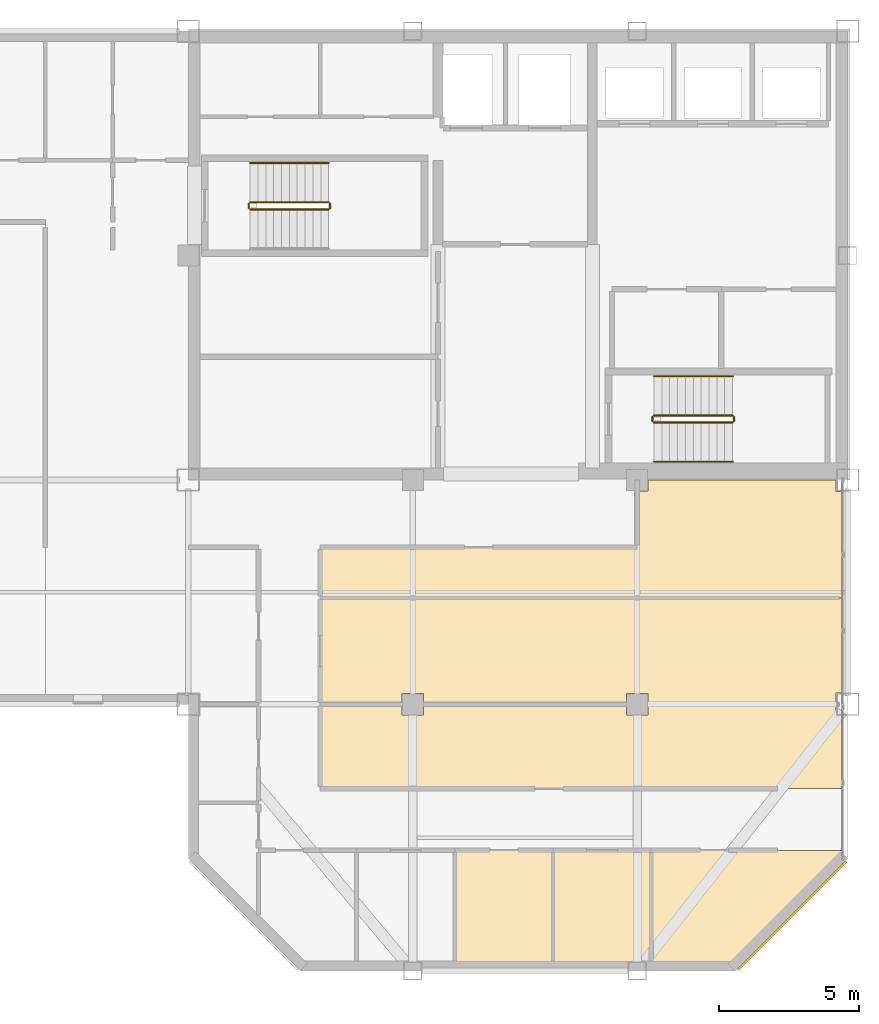
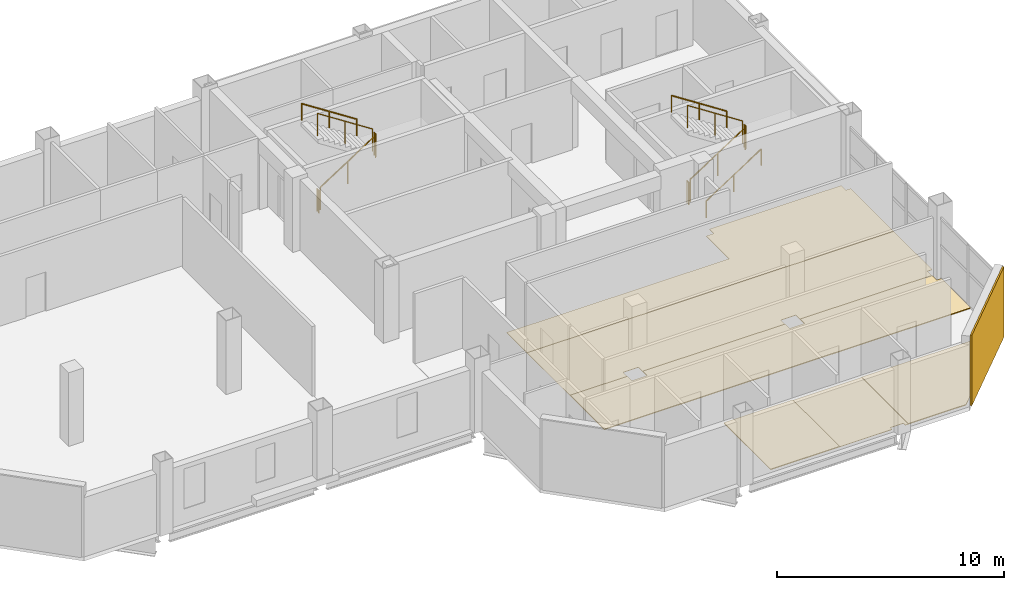
# One storey, part 12 of 13: 11 railings, 7 coverings.
"""IFC4 building model written with IfcOpenShell, lengths in metres."""

from ifc_helpers import new_model, si_unit, direction, frame, origin, origin_2d, place, context, subcontext, project, spatial, polyline, rectangle, circle, outline, extrude, material, layer, layer_set, type_object, element, save


model = new_model("IFC4")

# Units and contexts
model_context = context("Model", 3, precision=1e-05, world=origin(), true_north=direction((0.0, 1.0)))
body_context = subcontext(model_context, "Body", "Model", "MODEL_VIEW")
ifc_project = project(units=[si_unit("LENGTHUNIT", "METRE"), si_unit("AREAUNIT", "SQUARE_METRE"), si_unit("VOLUMEUNIT", "CUBIC_METRE"), si_unit("PLANEANGLEUNIT", "RADIAN"), si_unit("MASSUNIT", "GRAM", prefix="KILO")], contexts=[model_context])

# Site, building, storey
site_placement = place(None, origin())
site = spatial("IfcSite", under=ifc_project, at=site_placement, CompositionType="ELEMENT")
building_placement = place(site_placement, origin())
building = spatial("IfcBuilding", under=site, at=building_placement, Name="Qianrong Seaharbour Tower", CompositionType="ELEMENT")
storey_placement = place(building_placement, frame((0.0, 0.0, 299.199951171875)))
storey = spatial("IfcBuildingStorey", under=building, at=storey_placement, Name="L72", CompositionType="ELEMENT", Elevation=299.199951171875)

# Coverings
ifc_material_1 = material(Name="Unitised red brick cladding on Precast concrete C45/55", Category="masonry")
ifc_layer_1 = layer(ifc_material_1, 0.080078125)
ifc_layer_set_1 = layer_set([ifc_layer_1], Name="Unitised red brick cladding on Precast concrete C45/55")
covering_type_1 = type_object("IfcCoveringType", Name="COV-CLAD-RED-BRICK-80", PredefinedType="CLADDING", material=ifc_layer_set_1)
covering_1_placement = place(storey_placement, frame((62.0283203125, 20.4716796875, 0.0), z_axis=(0.0, 0.0, 1.0), x_axis=(-0.707106781187, -0.707106781187, 0.0)))
element("IfcCovering", 1, at=covering_1_placement, inside=storey, type_object=covering_type_1, Name="L72 Chamfer Corner Brick Cladding 07", PredefinedType="CLADDING", context=body_context, shape_type="SweptSolid", body=[
    extrude(rectangle(XDim=5.456787109375, YDim=0.080078125, at=origin_2d()), origin(), (0.0, 0.0, 1.0), 3.784912109375),
])
ifc_material_2 = material(Name="Acoustic modular carpet tile flooring")
ifc_layer_2 = layer(ifc_material_2, 0.02001953125)
ifc_layer_set_2 = layer_set([ifc_layer_2], Name="Acoustic modular carpet tile flooring")
covering_type_2 = type_object("IfcCoveringType", Name="COV-FLOOR-CARPET-20", PredefinedType="FLOORING", material=ifc_layer_set_2)
covering_2_placement = place(storey_placement, origin())
element("IfcCovering", 2, at=covering_2_placement, inside=storey, type_object=covering_type_2, Name="L72 Boardroom 2 Finish Flooring", PredefinedType="FLOORING", context=body_context, shape_type="SweptSolid", body=[
    extrude(outline(polyline([(63.824951171875, 31.800048828125), (63.824951171875, 28.409912109375), (63.590087890625, 28.409912109375), (63.590087890625, 28.0), (56.885009765625, 28.0), (56.885009765625, 28.385009765625), (56.114990234375, 28.385009765625), (56.114990234375, 28.0), (48.885009765625, 28.0), (48.885009765625, 28.385009765625), (48.114990234375, 28.385009765625), (48.114990234375, 28.0), (45.199951171875, 28.0), (45.199951171875, 31.800048828125), (63.824951171875, 31.800048828125)])), origin(), (0.0, 0.0, 1.0), 0.02001953125),
])
covering_3_placement = place(storey_placement, origin())
element("IfcCovering", 3, at=covering_3_placement, inside=storey, type_object=covering_type_2, Name="L72 Focus Room 3 Finish Flooring", PredefinedType="FLOORING", context=body_context, shape_type="SweptSolid", body=[
    extrude(outline(polyline([(56.5, 33.60009765625), (56.5, 35.614990234375), (56.885009765625, 35.614990234375), (56.885009765625, 36.0), (63.590087890625, 36.0), (63.590087890625, 35.590087890625), (63.824951171875, 35.590087890625), (63.824951171875, 31.800048828125), (45.199951171875, 31.800048828125), (45.199951171875, 33.60009765625), (56.5, 33.60009765625)])), origin(), (0.0, 0.0, 1.0), 0.02001953125),
])
covering_4_placement = place(storey_placement, origin())
element("IfcCovering", 4, at=covering_4_placement, inside=storey, type_object=covering_type_2, Name="L72 Meeting Room 4 Finish Flooring", PredefinedType="FLOORING", context=body_context, shape_type="SweptSolid", body=[
    extrude(outline(polyline([(57.0, 18.675048828125), (56.8349609375, 18.675048828125), (56.8349609375, 18.8349609375), (56.1650390625, 18.8349609375), (56.1650390625, 18.675048828125), (53.5, 18.675048828125), (53.5, 22.800048828125), (57.0, 22.800048828125), (57.0, 18.675048828125)])), origin(), (0.0, 0.0, 1.0), 0.02001953125),
])
ifc_material_3 = material(Name="Calcium-sulphate raised access floor tile")
ifc_layer_3 = layer(ifc_material_3, 0.044921875)
ifc_layer_set_3 = layer_set([ifc_layer_3], Name="Calcium-sulphate raised access floor tile")
covering_type_3 = type_object("IfcCoveringType", Name="COV-FLOOR-RAISED-45", PredefinedType="FLOORING", material=ifc_layer_set_3)
covering_5_placement = place(storey_placement, origin())
element("IfcCovering", 5, at=covering_5_placement, inside=storey, type_object=covering_type_3, Name="L72 Executive Office 1 Finish Flooring", PredefinedType="FLOORING", context=body_context, shape_type="SweptSolid", body=[
    extrude(outline(polyline([(48.114990234375, 28.0), (48.114990234375, 27.614990234375), (48.885009765625, 27.614990234375), (48.885009765625, 28.0), (56.114990234375, 28.0), (56.114990234375, 27.614990234375), (56.885009765625, 27.614990234375), (56.885009765625, 28.0), (63.590087890625, 28.0), (63.590087890625, 27.590087890625), (63.824951171875, 27.590087890625), (63.824951171875, 25.0), (45.199951171875, 25.0), (45.199951171875, 28.0), (48.114990234375, 28.0)])), origin(), (0.0, 0.0, 1.0), 0.045166015625),
])
covering_6_placement = place(storey_placement, origin())
element("IfcCovering", 6, at=covering_6_placement, inside=storey, type_object=covering_type_3, Name="L72 Executive Office 3 Finish Flooring", PredefinedType="FLOORING", context=body_context, shape_type="SweptSolid", body=[
    extrude(outline(polyline([(53.5, 18.675048828125), (50.0, 18.675048828125), (50.0, 22.800048828125), (53.5, 22.800048828125), (53.5, 18.675048828125)])), origin(), (0.0, 0.0, 1.0), 0.045166015625),
])
covering_7_placement = place(storey_placement, origin())
element("IfcCovering", 7, at=covering_7_placement, inside=storey, type_object=covering_type_3, Name="L72 Executive Office 5 Finish Flooring", PredefinedType="FLOORING", context=body_context, shape_type="SweptSolid", body=[
    extrude(outline(polyline([(63.824951171875, 22.572509765625), (59.927490234375, 18.675048828125), (57.0, 18.675048828125), (57.0, 22.800048828125), (63.824951171875, 22.800048828125), (63.824951171875, 22.572509765625)])), origin(), (0.0, 0.0, 1.0), 0.045166015625),
])

# Railings
ifc_material_4 = material(Name="Galvanized painted steel SN400B stair guard", Category="steel")
railing_type_1 = type_object("IfcRailingType", Name="RAIL-STAIR-GUARD-1220", PredefinedType="GUARDRAIL", material=ifc_material_4)
railing_1_placement = place(storey_placement, frame((42.699951171875, 45.64990234375, 0.181884765625)))
element("IfcRailing", 8, at=railing_1_placement, inside=storey, type_object=railing_type_1, Name="L72 ST-1 stair guard 1", PredefinedType="GUARDRAIL", context=body_context, shape_type="SweptSolid", body=[
    extrude(circle(Radius=0.02392578125, at=origin_2d()), frame((0.0, 0.0, 1.19580078125), z_axis=(0.838705829183, 0.0, 0.544584733623), x_axis=(0.0, 1.0, 0.0)), (0.0, 0.0, 1.0), 3.338623046875),
    extrude(circle(Radius=0.02099609375, at=origin_2d()), origin(), (0.0, 0.0, 1.0), 1.171875),
    extrude(circle(Radius=0.02099609375, at=origin_2d()), frame((1.39990234375, 0.0, 0.9091796875)), (0.0, 0.0, 1.0), 1.171875),
    extrude(circle(Radius=0.02099609375, at=origin_2d()), frame((2.800048828125, 0.0, 1.818115234375)), (0.0, 0.0, 1.0), 1.171875),
])
railing_2_placement = place(storey_placement, frame((45.550048828125, 45.699951171875, 2.0)))
element("IfcRailing", 9, at=railing_2_placement, inside=storey, type_object=railing_type_1, Name="L72 ST-1 stair guard 2", PredefinedType="GUARDRAIL", context=body_context, shape_type="SweptSolid", body=[
    extrude(circle(Radius=0.02392578125, at=origin_2d()), frame((0.0, 0.0, 1.19580078125), z_axis=(0.0, 1.0, 0.0), x_axis=(-1.0, 0.0, 0.0)), (0.0, 0.0, 1.0), 0.150146484375),
    extrude(circle(Radius=0.02099609375, at=origin_2d()), origin(), (0.0, 0.0, 1.0), 1.171875),
    extrude(circle(Radius=0.02099609375, at=origin_2d()), frame((0.0, 0.150146484375, 0.0)), (0.0, 0.0, 1.0), 1.171875),
])
railing_3_placement = place(storey_placement, frame((45.5, 45.89990234375, 2.181884765625)))
element("IfcRailing", 10, at=railing_3_placement, inside=storey, type_object=railing_type_1, Name="L72 ST-1 stair guard 3", PredefinedType="GUARDRAIL", context=body_context, shape_type="SweptSolid", body=[
    extrude(circle(Radius=0.02392578125, at=origin_2d()), frame((0.0, 0.0, 1.19580078125), z_axis=(-0.838705829183, 0.0, 0.544584733623), x_axis=(0.0, -1.0, 0.0)), (0.0, 0.0, 1.0), 3.338623046875),
    extrude(circle(Radius=0.02099609375, at=origin_2d()), origin(), (0.0, 0.0, 1.0), 1.171875),
    extrude(circle(Radius=0.02099609375, at=origin_2d()), frame((-1.39990234375, 0.0, 0.9091796875)), (0.0, 0.0, 1.0), 1.171875),
    extrude(circle(Radius=0.02099609375, at=origin_2d()), frame((-2.800048828125, 0.0, 1.818115234375)), (0.0, 0.0, 1.0), 1.171875),
])
railing_4_placement = place(storey_placement, frame((42.64990234375, 45.699951171875, 0.0)))
element("IfcRailing", 11, at=railing_4_placement, inside=storey, type_object=railing_type_1, Name="L72 ST-1 stair guard 4", PredefinedType="GUARDRAIL", context=body_context, shape_type="SweptSolid", body=[
    extrude(circle(Radius=0.02392578125, at=origin_2d()), frame((0.0, 0.0, 1.19580078125), z_axis=(0.0, 1.0, 0.0), x_axis=(-1.0, 0.0, 0.0)), (0.0, 0.0, 1.0), 0.150146484375),
    extrude(circle(Radius=0.02099609375, at=origin_2d()), origin(), (0.0, 0.0, 1.0), 1.171875),
    extrude(circle(Radius=0.02099609375, at=origin_2d()), frame((0.0, 0.150146484375, 0.0)), (0.0, 0.0, 1.0), 1.171875),
])
railing_5_placement = place(storey_placement, frame((57.10009765625, 38.050048828125, 0.181884765625)))
element("IfcRailing", 12, at=railing_5_placement, inside=storey, type_object=railing_type_1, Name="L72 ST-2 stair guard 1", PredefinedType="GUARDRAIL", context=body_context, shape_type="SweptSolid", body=[
    extrude(circle(Radius=0.02392578125, at=origin_2d()), frame((0.0, 0.0, 1.19580078125), z_axis=(0.83868413941, 0.0, 0.544618136222), x_axis=(0.0, 1.0, 0.0)), (0.0, 0.0, 1.0), 3.33837890625),
    extrude(circle(Radius=0.02099609375, at=origin_2d()), origin(), (0.0, 0.0, 1.0), 1.171875),
    extrude(circle(Radius=0.02099609375, at=origin_2d()), frame((1.39990234375, 0.0, 0.9091796875)), (0.0, 0.0, 1.0), 1.171875),
    extrude(circle(Radius=0.02099609375, at=origin_2d()), frame((2.7998046875, 0.0, 1.818115234375)), (0.0, 0.0, 1.0), 1.171875),
])
railing_6_placement = place(storey_placement, frame((59.949951171875, 38.10009765625, 2.0)))
element("IfcRailing", 13, at=railing_6_placement, inside=storey, type_object=railing_type_1, Name="L72 ST-2 stair guard 2", PredefinedType="GUARDRAIL", context=body_context, shape_type="SweptSolid", body=[
    extrude(circle(Radius=0.02392578125, at=origin_2d()), frame((0.0, 0.0, 1.19580078125), z_axis=(0.0, 1.0, 0.0), x_axis=(-1.0, 0.0, 0.0)), (0.0, 0.0, 1.0), 0.14990234375),
    extrude(circle(Radius=0.02099609375, at=origin_2d()), origin(), (0.0, 0.0, 1.0), 1.171875),
    extrude(circle(Radius=0.02099609375, at=origin_2d()), frame((0.0, 0.14990234375, 0.0)), (0.0, 0.0, 1.0), 1.171875),
])
railing_7_placement = place(storey_placement, frame((59.89990234375, 38.300048828125, 2.181884765625)))
element("IfcRailing", 14, at=railing_7_placement, inside=storey, type_object=railing_type_1, Name="L72 ST-2 stair guard 3", PredefinedType="GUARDRAIL", context=body_context, shape_type="SweptSolid", body=[
    extrude(circle(Radius=0.02392578125, at=origin_2d()), frame((0.0, 0.0, 1.19580078125), z_axis=(-0.83868413941, 0.0, 0.544618136222), x_axis=(0.0, -1.0, 0.0)), (0.0, 0.0, 1.0), 3.33837890625),
    extrude(circle(Radius=0.02099609375, at=origin_2d()), origin(), (0.0, 0.0, 1.0), 1.171875),
    extrude(circle(Radius=0.02099609375, at=origin_2d()), frame((-1.39990234375, 0.0, 0.9091796875)), (0.0, 0.0, 1.0), 1.171875),
    extrude(circle(Radius=0.02099609375, at=origin_2d()), frame((-2.7998046875, 0.0, 1.818115234375)), (0.0, 0.0, 1.0), 1.171875),
])
railing_8_placement = place(storey_placement, frame((57.050048828125, 38.10009765625, 0.0)))
element("IfcRailing", 15, at=railing_8_placement, inside=storey, type_object=railing_type_1, Name="L72 ST-2 stair guard 4", PredefinedType="GUARDRAIL", context=body_context, shape_type="SweptSolid", body=[
    extrude(circle(Radius=0.02392578125, at=origin_2d()), frame((0.0, 0.0, 1.19580078125), z_axis=(0.0, 1.0, 0.0), x_axis=(-1.0, 0.0, 0.0)), (0.0, 0.0, 1.0), 0.14990234375),
    extrude(circle(Radius=0.02099609375, at=origin_2d()), origin(), (0.0, 0.0, 1.0), 1.171875),
    extrude(circle(Radius=0.02099609375, at=origin_2d()), frame((0.0, 0.14990234375, 0.0)), (0.0, 0.0, 1.0), 1.171875),
])
ifc_material_5 = material(Name="Stainless steel SUS316L continuous handrail", Category="steel")
railing_type_2 = type_object("IfcRailingType", Name="RAIL-STAIR-HANDRAIL-900", PredefinedType="HANDRAIL", material=ifc_material_5)
railing_9_placement = place(storey_placement, frame((45.5, 47.300048828125, 2.181884765625)))
element("IfcRailing", 16, at=railing_9_placement, inside=storey, type_object=railing_type_2, Name="L72 ST-1 stair handrail 2", PredefinedType="HANDRAIL", context=body_context, shape_type="SweptSolid", body=[
    extrude(circle(Radius=0.02392578125, at=origin_2d()), frame((0.0, 0.0, 0.8759765625), z_axis=(-0.838705829183, 0.0, 0.544584733623), x_axis=(0.0, -1.0, 0.0)), (0.0, 0.0, 1.0), 3.338623046875),
    extrude(circle(Radius=0.02099609375, at=origin_2d()), origin(), (0.0, 0.0, 1.0), 0.851806640625),
    extrude(circle(Radius=0.02099609375, at=origin_2d()), frame((-1.39990234375, 0.0, 0.9091796875)), (0.0, 0.0, 1.0), 0.851806640625),
    extrude(circle(Radius=0.02099609375, at=origin_2d()), frame((-2.800048828125, 0.0, 1.818115234375)), (0.0, 0.0, 1.0), 0.851806640625),
])
railing_10_placement = place(storey_placement, frame((57.10009765625, 36.64990234375, 0.181884765625)))
element("IfcRailing", 17, at=railing_10_placement, inside=storey, type_object=railing_type_2, Name="L72 ST-2 stair handrail 1", PredefinedType="HANDRAIL", context=body_context, shape_type="SweptSolid", body=[
    extrude(circle(Radius=0.02392578125, at=origin_2d()), frame((0.0, 0.0, 0.8759765625), z_axis=(0.83868413941, 0.0, 0.544618136222), x_axis=(0.0, 1.0, 0.0)), (0.0, 0.0, 1.0), 3.33837890625),
    extrude(circle(Radius=0.02099609375, at=origin_2d()), origin(), (0.0, 0.0, 1.0), 0.851806640625),
    extrude(circle(Radius=0.02099609375, at=origin_2d()), frame((1.39990234375, 0.0, 0.9091796875)), (0.0, 0.0, 1.0), 0.851806640625),
    extrude(circle(Radius=0.02099609375, at=origin_2d()), frame((2.7998046875, 0.0, 1.818115234375)), (0.0, 0.0, 1.0), 0.851806640625),
])
railing_11_placement = place(storey_placement, frame((59.89990234375, 39.699951171875, 2.181884765625)))
element("IfcRailing", 18, at=railing_11_placement, inside=storey, type_object=railing_type_2, Name="L72 ST-2 stair handrail 2", PredefinedType="HANDRAIL", context=body_context, shape_type="SweptSolid", body=[
    extrude(circle(Radius=0.02392578125, at=origin_2d()), frame((0.0, 0.0, 0.8759765625), z_axis=(-0.83868413941, 0.0, 0.544618136222), x_axis=(0.0, -1.0, 0.0)), (0.0, 0.0, 1.0), 3.33837890625),
    extrude(circle(Radius=0.02099609375, at=origin_2d()), origin(), (0.0, 0.0, 1.0), 0.851806640625),
    extrude(circle(Radius=0.02099609375, at=origin_2d()), frame((-1.39990234375, 0.0, 0.9091796875)), (0.0, 0.0, 1.0), 0.851806640625),
    extrude(circle(Radius=0.02099609375, at=origin_2d()), frame((-2.7998046875, 0.0, 1.818115234375)), (0.0, 0.0, 1.0), 0.851806640625),
])

save(model, "model.ifc")
